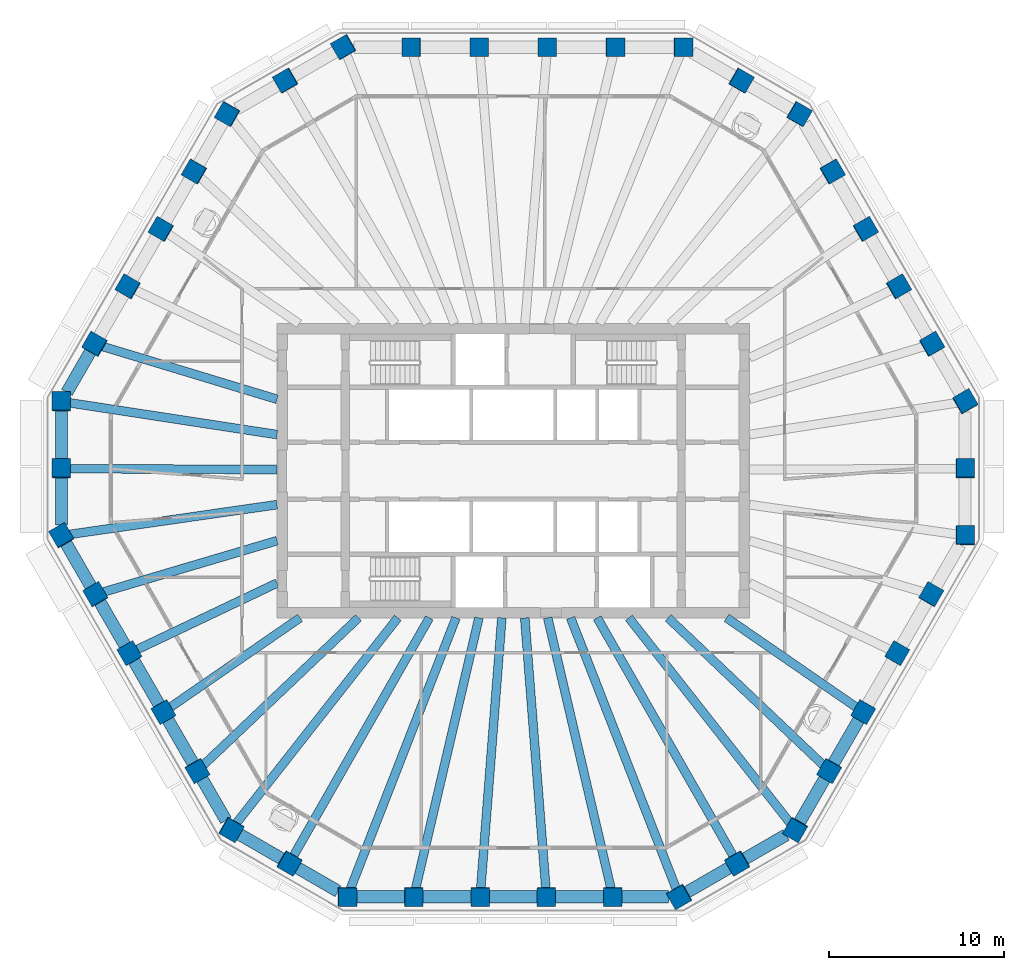
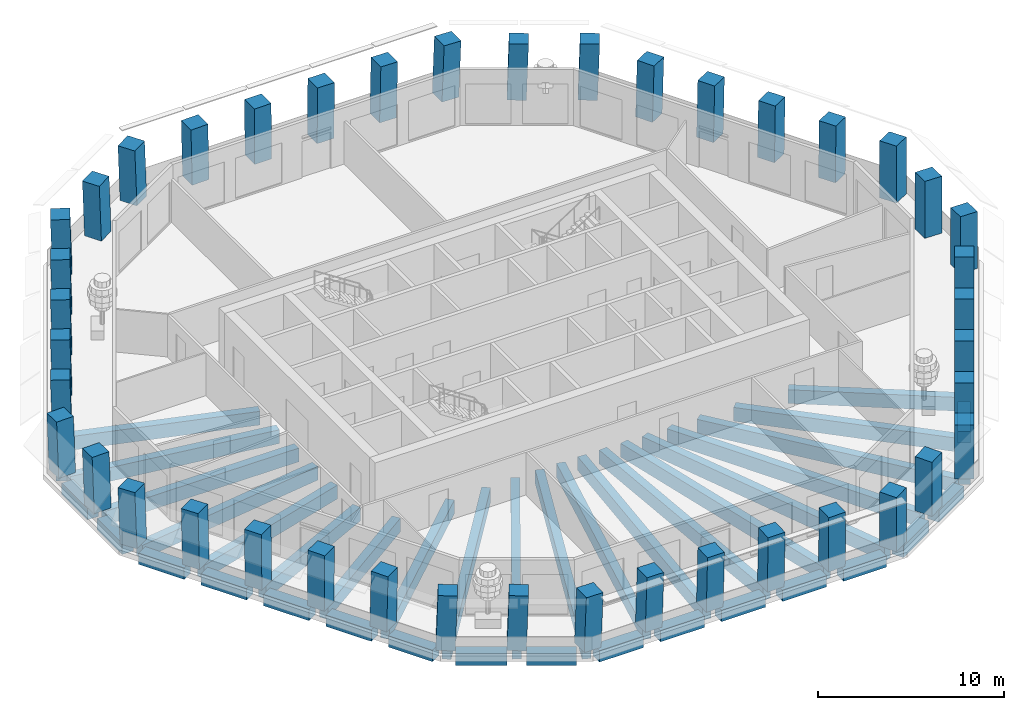
# One storey, part 1 of 12: 42 columns, 39 beams.
"""IFC4 building model written with IfcOpenShell, lengths in metres."""

import ifcopenshell
import ifcopenshell.guid

model = None  # the IFC model being written
_history = None  # IfcOwnerHistory: only IFC2X3 demands one
_inside = {}  # id of a spatial element -> (the spatial element, [elements in it])
_under = {}  # id of a project, library or spatial element -> (it, [spatial elements below it])
_declared = {}  # id of a project -> (the project, [libraries it declares])
_typed = {}  # id of a type object -> (the type object, [elements of that type])
_made_of = {}  # id of a material, layer set ... -> (it, [elements and type objects made of it])


def new_model(schema):
    """Start an empty IFC model of exactly this schema.

    Asked for "IFC4X3", IfcOpenShell would pick the latest addendum, in which some entities
    have other attributes; the version numbers below select the first issue.
    IFC2X3 requires an IfcOwnerHistory on every rooted entity: one is made here for all.
    """
    global model, _history
    if schema == "IFC4X3":
        model = ifcopenshell.file(schema_version=(4, 3, 0, 0))
    else:
        model = ifcopenshell.file(schema=schema)
    _inside.clear()
    _under.clear()
    _declared.clear()
    _typed.clear()
    _made_of.clear()
    _history = None
    if model.schema == "IFC2X3":
        org = make("IfcOrganization", Name="unknown")
        user = make(
            "IfcPersonAndOrganization",
            ThePerson=make("IfcPerson", FamilyName="unknown"),
            TheOrganization=org,
        )
        app = make(
            "IfcApplication",
            ApplicationDeveloper=org,
            Version="unknown",
            ApplicationFullName="unknown",
            ApplicationIdentifier="unknown",
        )
        _history = make(
            "IfcOwnerHistory",
            OwningUser=user,
            OwningApplication=app,
            ChangeAction="ADDED",
            CreationDate=0,
        )
    return model


def make(cls, **values):
    """One entity of the class cls with the attributes given. An attribute that is None is left unset."""
    return model.create_entity(
        cls, **{name: value for name, value in values.items() if value is not None}
    )


def rooted(cls, **values):
    """An entity with a GlobalId (a new one), such as an element, a storey or a relation."""
    return make(cls, GlobalId=ifcopenshell.guid.new(), OwnerHistory=_history, **values)


def si_unit(unit_type, name, prefix=None):
    """IfcSIUnit, for example si_unit("LENGTHUNIT", "METRE", prefix="MILLI")."""
    return make("IfcSIUnit", UnitType=unit_type, Prefix=prefix, Name=name)


def assignment(units):
    """IfcUnitAssignment: the units of a project."""
    return None if units is None else make("IfcUnitAssignment", Units=units)


def point(xyz):
    """IfcCartesianPoint."""
    return None if xyz is None else make("IfcCartesianPoint", Coordinates=xyz)


def direction(xyz):
    """IfcDirection."""
    return None if xyz is None else make("IfcDirection", DirectionRatios=xyz)


def frame(location, z_axis=None, x_axis=None):
    """IfcAxis2Placement3D, a coordinate frame: its origin and axes. An axis left out is left unset."""
    return make(
        "IfcAxis2Placement3D",
        Location=point(location),
        Axis=direction(z_axis),
        RefDirection=direction(x_axis),
    )


def frame_2d(location, x_axis=None):
    """IfcAxis2Placement2D, a coordinate frame in the plane: its origin and x axis."""
    return make(
        "IfcAxis2Placement2D", Location=point(location), RefDirection=direction(x_axis)
    )


def origin():
    """The frame at (0, 0, 0) with its axes left unset."""
    return frame((0.0, 0.0, 0.0))


def origin_2d():
    """The frame at (0, 0) in the plane with its x axis left unset."""
    return frame_2d((0.0, 0.0))


def place(relative_to, where):
    """IfcLocalPlacement: puts the frame where relative to a parent placement (None: the world)."""
    return make(
        "IfcLocalPlacement", PlacementRelTo=relative_to, RelativePlacement=where
    )


def context(
    kind, dimensions, precision=None, world=None, true_north=None, identifier=None
):
    """IfcGeometricRepresentationContext, for example the 3D "Model" context."""
    return make(
        "IfcGeometricRepresentationContext",
        ContextIdentifier=identifier,
        ContextType=kind,
        CoordinateSpaceDimension=dimensions,
        Precision=precision,
        WorldCoordinateSystem=world,
        TrueNorth=true_north,
    )


def subcontext(parent, identifier, kind, view, scale=None):
    """IfcGeometricRepresentationSubContext, for example "Body" below "Model"."""
    return make(
        "IfcGeometricRepresentationSubContext",
        ContextIdentifier=identifier,
        ContextType=kind,
        ParentContext=parent,
        TargetScale=scale,
        TargetView=view,
    )


def project(units=None, contexts=None):
    """IfcProject with its units and contexts."""
    return rooted(
        "IfcProject",
        Name="project",
        RepresentationContexts=contexts,
        UnitsInContext=assignment(units),
    )


def spatial(cls, under=None, at=None, **own):
    """A site, building, storey or space (cls), placed at a placement, below another one or the project."""
    s = rooted(cls, ObjectPlacement=at, **own)
    if under is not None:
        _under.setdefault(under.id(), (under, []))[1].append(s)
    return s


def profile(cls, at=None, kind="AREA", **sizes):
    """A parametric profile (cls). Its sizes go by their IFC names, for example OverallWidth=200.0."""
    return make(cls, ProfileType=kind, Position=at, **sizes)


def rectangle(**sizes):
    """IfcRectangleProfileDef."""
    return profile("IfcRectangleProfileDef", **sizes)


def extrude(swept, where, along, depth):
    """IfcExtrudedAreaSolid: the profile swept, set in the frame where, extruded along a direction by depth."""
    return make(
        "IfcExtrudedAreaSolid",
        SweptArea=swept,
        Position=where,
        ExtrudedDirection=direction(along),
        Depth=depth,
    )


def shape(context_of_items, identifier, shape_type, items):
    """IfcShapeRepresentation: the items that make up one representation, for example the "Body"."""
    return make(
        "IfcShapeRepresentation",
        ContextOfItems=context_of_items,
        RepresentationIdentifier=identifier,
        RepresentationType=shape_type,
        Items=items,
    )


def material(Name=None, Category=None):
    """IfcMaterial."""
    return make("IfcMaterial", Name=Name, Category=Category)


def material_profile(
    of_material, cross_section, Name=None, Category=None, Priority=None
):
    """IfcMaterialProfile: a cross section and its material."""
    return make(
        "IfcMaterialProfile",
        Name=Name,
        Material=of_material,
        Profile=cross_section,
        Priority=Priority,
        Category=Category,
    )


def profile_set(profiles, Name=None, composite=None):
    """IfcMaterialProfileSet."""
    return make(
        "IfcMaterialProfileSet",
        Name=Name,
        MaterialProfiles=profiles,
        CompositeProfile=composite,
    )


def made_of(thing, what):
    """Note that an element or type object is made of a material, layer set ...; save() writes the relation."""
    if what is not None:
        _made_of.setdefault(what.id(), (what, []))[1].append(thing)
    return thing


def type_object(cls, material=None, **own):
    """A type object (cls), such as IfcWallType, which elements share."""
    return made_of(rooted(cls, **own), material)


def element(
    cls,
    number,
    at=None,
    inside=None,
    cuts=None,
    type_object=None,
    material=None,
    context=None,
    identifier="Body",
    shape_type=None,
    held_by="IfcProductDefinitionShape",
    body=None,
    shapes=None,
    **own,
):
    """One element of the class cls, such as IfcWall. Its Tag is "e" and its number.

    at: its placement. inside: the storey or other place that contains it. cuts: it is an
    opening in that element (IfcRelVoidsElement). A single representation is given by context,
    identifier, shape_type and body (its items); several are given by shapes. held_by: the class
    of the entity that holds the representations. save() writes the other relations.
    """
    e = rooted(cls, Tag="e%d" % number, ObjectPlacement=at, **own)
    if body is not None:
        shapes = [shape(context, identifier, shape_type, body)]
    if shapes is not None:
        e.Representation = make(held_by, Representations=shapes)
    if inside is not None:
        _inside.setdefault(inside.id(), (inside, []))[1].append(e)
    if cuts is not None:
        rooted(
            "IfcRelVoidsElement", RelatingBuildingElement=cuts, RelatedOpeningElement=e
        )
    if type_object is not None:
        _typed.setdefault(type_object.id(), (type_object, []))[1].append(e)
    return made_of(e, material)


def aggregate(whole, parts):
    """IfcRelAggregates: a whole, such as a stair, and the parts it consists of."""
    return rooted("IfcRelAggregates", RelatingObject=whole, RelatedObjects=parts)


def save(model, path):
    """Write the relations noted so far, then the file.

    IfcRelAggregates (storeys below a building ...), IfcRelContainedInSpatialStructure (elements
    in a storey), IfcRelDefinesByType, IfcRelAssociatesMaterial and IfcRelDeclares: one each for
    every whole, place, type object, material and project.
    """
    for whole, parts in _under.values():
        aggregate(whole, parts)
    for where, things in _inside.values():
        rooted(
            "IfcRelContainedInSpatialStructure",
            RelatedElements=things,
            RelatingStructure=where,
        )
    for kind, things in _typed.values():
        rooted("IfcRelDefinesByType", RelatedObjects=things, RelatingType=kind)
    for what, things in _made_of.values():
        rooted("IfcRelAssociatesMaterial", RelatedObjects=things, RelatingMaterial=what)
    for by, libraries in _declared.values():
        rooted("IfcRelDeclares", RelatingContext=by, RelatedDefinitions=libraries)
    model.write(path)


model = new_model("IFC4")

# Units and contexts
model_context = context("Model", 3, precision=1e-05, world=origin(), true_north=direction((0.0, 1.0)))
body_context = subcontext(model_context, "Body", "Model", "MODEL_VIEW")
ifc_project = project(units=[si_unit("LENGTHUNIT", "METRE"), si_unit("AREAUNIT", "SQUARE_METRE"), si_unit("VOLUMEUNIT", "CUBIC_METRE"), si_unit("PLANEANGLEUNIT", "RADIAN"), si_unit("MASSUNIT", "GRAM", prefix="KILO")], contexts=[model_context])

# Site, building, storey
site_placement = place(None, origin())
site = spatial("IfcSite", under=ifc_project, at=site_placement, CompositionType="ELEMENT")
building_placement = place(site_placement, origin())
building = spatial("IfcBuilding", under=site, at=building_placement, Name="Frailejon Research Tower", CompositionType="ELEMENT")
storey_placement = place(building_placement, frame((0.0, 0.0, 215.39990234375)))
storey = spatial("IfcBuildingStorey", under=building, at=storey_placement, Name="L46", CompositionType="ELEMENT", Elevation=215.39990234375)

# Columns
ifc_material_1 = material(Name="Concrete C60/75", Category="concrete")
ifc_material_profile_1 = material_profile(ifc_material_1, rectangle(XDim=1.050048828125, YDim=1.050048828125, at=origin_2d()), Name="Column 1050")
ifc_profile_set_1 = profile_set([ifc_material_profile_1], Name="Concrete C60/75")
column_type = type_object("IfcColumnType", Name="Column 1050", PredefinedType="COLUMN", material=ifc_profile_set_1)
for number, where, z_axis, x_axis, name in (
    (1, (25.806884765625, -3.700927734375, 0.0), (0.018180774937, 0.031415309633, 0.999341051765), (0.000893470775, 0.999505344546, -0.031436729047), "Column C01"),
    (2, (25.806884765625, 0.125732421875, 0.0), (0.018180774937, 0.031415309633, 0.999341051765), (0.000893470775, 0.999505344546, -0.031436729047), "Column C02"),
    (3, (25.806884765625, 3.952392578125, 0.0), (0.018180774937, 0.031415309633, 0.999341051765), (-0.499143390032, 0.866329232655, -0.018153149439), "Column C03"),
):
    element("IfcColumn", number, at=place(storey_placement, frame(where, z_axis=z_axis, x_axis=x_axis)), inside=storey, type_object=column_type, Name=name, PredefinedType="COLUMN", context=body_context, shape_type="SweptSolid", body=[
        extrude(rectangle(XDim=1.050048828125, YDim=1.050048828125, at=origin_2d()), origin(), (0.0, 0.0, 1.0), 3.652587890625),
    ])
column_1_placement = place(storey_placement, frame((23.910888671875, 7.236572265625, 0.0), z_axis=(0.021725676399, 0.025134936388, 0.999447962606), x_axis=(-0.500488924466, 0.86567442941, -0.010891223664)))
element("IfcColumn", 4, at=column_1_placement, inside=storey, type_object=column_type, Name="Column C04", PredefinedType="COLUMN", context=body_context, shape_type="SweptSolid", body=[
    extrude(rectangle(XDim=1.050048828125, YDim=1.050048828125, at=origin_2d()), origin(), (0.0, 0.0, 1.0), 3.652099609375),
])
for number, where, z_axis, x_axis, name in (
    (5, (22.0146484375, 10.520751953125, 0.0), (0.025403639223, 0.018852174371, 0.999499500068), (-0.500083888167, 0.865969385556, -0.003623268626), "Column C05"),
    (6, (20.11865234375, 13.804931640625, 0.0), (0.029013644583, 0.012568122538, 0.999500000362), (-0.499848973822, 0.866105020579, 0.003618935909), "Column C06"),
):
    element("IfcColumn", number, at=place(storey_placement, frame(where, z_axis=z_axis, x_axis=x_axis)), inside=storey, type_object=column_type, Name=name, PredefinedType="COLUMN", context=body_context, shape_type="SweptSolid", body=[
        extrude(rectangle(XDim=1.050048828125, YDim=1.050048828125, at=origin_2d()), origin(), (0.0, 0.0, 1.0), 3.65185546875),
    ])
column_2_placement = place(storey_placement, frame((18.222412109375, 17.089111328125, 0.0), z_axis=(0.032688717128, 0.006283720675, 0.99944582776), x_axis=(-0.499706662091, 0.866126133194, 0.010898314577)))
element("IfcColumn", 7, at=column_2_placement, inside=storey, type_object=column_type, Name="Column C07", PredefinedType="COLUMN", context=body_context, shape_type="SweptSolid", body=[
    extrude(rectangle(XDim=1.050048828125, YDim=1.050048828125, at=origin_2d()), origin(), (0.0, 0.0, 1.0), 3.652099609375),
])
for number, where, z_axis, x_axis, name in (
    (8, (16.326416015625, 20.373291015625, 0.0), (0.036227958345, 0.0, 0.999343552055), (-0.865314717209, 0.500246354177, 0.031369177763), "Column C08"),
    (9, (13.01220703125, 22.28662109375, 0.0), (0.036294711627, 0.0, 0.999341129899), (-0.865312619905, 0.500246354177, 0.031426978303), "Column C09"),
    (10, (9.6982421875, 24.199951171875, 0.0), (0.036294711627, 0.0, 0.999341129899), (-0.999341129899, 0.0, 0.036294711627), "Column C10"),
):
    element("IfcColumn", number, at=place(storey_placement, frame(where, z_axis=z_axis, x_axis=x_axis)), inside=storey, type_object=column_type, Name=name, PredefinedType="COLUMN", context=body_context, shape_type="SweptSolid", body=[
        extrude(rectangle(XDim=1.050048828125, YDim=1.050048828125, at=origin_2d()), origin(), (0.0, 0.0, 1.0), 3.652587890625),
    ])
column_3_placement = place(storey_placement, frame((5.819091796875, 24.199951171875, 0.0), z_axis=(0.021732542414, 0.0, 0.99976382041), x_axis=(-0.99976382041, 0.0, 0.021732542414)))
element("IfcColumn", 11, at=column_3_placement, inside=storey, type_object=column_type, Name="Column C11", PredefinedType="COLUMN", context=body_context, shape_type="SweptSolid", body=[
    extrude(rectangle(XDim=1.050048828125, YDim=1.050048828125, at=origin_2d()), origin(), (0.0, 0.0, 1.0), 3.651123046875),
])
for number, where, z_axis, x_axis, name in (
    (12, (1.939697265625, 24.199951171875, 0.0), (0.007290288501, 0.0, 0.999973425494), (-0.999973425494, 0.0, 0.007290288501), "Column C12"),
    (13, (-1.939697265625, 24.199951171875, 0.0), (-0.007290288501, 0.0, 0.999973425494), (-0.999973425494, 0.0, -0.007290288501), "Column C13"),
):
    element("IfcColumn", number, at=place(storey_placement, frame(where, z_axis=z_axis, x_axis=x_axis)), inside=storey, type_object=column_type, Name=name, PredefinedType="COLUMN", context=body_context, shape_type="SweptSolid", body=[
        extrude(rectangle(XDim=1.050048828125, YDim=1.050048828125, at=origin_2d()), origin(), (0.0, 0.0, 1.0), 3.650146484375),
    ])
column_4_placement = place(storey_placement, frame((-5.819091796875, 24.199951171875, 0.0), z_axis=(-0.021732542414, 0.0, 0.99976382041), x_axis=(-0.99976382041, 0.0, -0.021732542414)))
element("IfcColumn", 14, at=column_4_placement, inside=storey, type_object=column_type, Name="Column C14", PredefinedType="COLUMN", context=body_context, shape_type="SweptSolid", body=[
    extrude(rectangle(XDim=1.050048828125, YDim=1.050048828125, at=origin_2d()), origin(), (0.0, 0.0, 1.0), 3.651123046875),
])
for number, where, z_axis, x_axis, name in (
    (15, (-9.6982421875, 24.199951171875, 0.0), (-0.036294711627, 0.0, 0.999341129899), (-0.865312619905, -0.500246354177, -0.031426978303), "Column C15"),
    (16, (-13.01220703125, 22.28662109375, 0.0), (-0.036294711627, 0.0, 0.999341129899), (-0.865312619905, -0.500246354177, -0.031426978303), "Column C16"),
    (17, (-16.326416015625, 20.373291015625, 0.0), (-0.036227958345, 0.0, 0.999343552055), (-0.499425543129, -0.866167613071, -0.018105052798), "Column C17"),
):
    element("IfcColumn", number, at=place(storey_placement, frame(where, z_axis=z_axis, x_axis=x_axis)), inside=storey, type_object=column_type, Name=name, PredefinedType="COLUMN", context=body_context, shape_type="SweptSolid", body=[
        extrude(rectangle(XDim=1.050048828125, YDim=1.050048828125, at=origin_2d()), origin(), (0.0, 0.0, 1.0), 3.652587890625),
    ])
column_5_placement = place(storey_placement, frame((-18.222412109375, 17.089111328125, 0.0), z_axis=(-0.032688717128, 0.006283720675, 0.99944582776), x_axis=(-0.499706662091, -0.866126133194, -0.010898314577)))
element("IfcColumn", 18, at=column_5_placement, inside=storey, type_object=column_type, Name="Column C18", PredefinedType="COLUMN", context=body_context, shape_type="SweptSolid", body=[
    extrude(rectangle(XDim=1.050048828125, YDim=1.050048828125, at=origin_2d()), origin(), (0.0, 0.0, 1.0), 3.652099609375),
])
for number, where, z_axis, x_axis, name in (
    (19, (-20.11865234375, 13.804931640625, 0.0), (-0.029013644583, 0.012568122538, 0.999500000362), (-0.499848973822, -0.866105020579, -0.003618935909), "Column C19"),
    (20, (-22.0146484375, 10.520751953125, 0.0), (-0.025403639223, 0.018852174371, 0.999499500068), (-0.500083888167, -0.865969385556, 0.003623268626), "Column C20"),
):
    element("IfcColumn", number, at=place(storey_placement, frame(where, z_axis=z_axis, x_axis=x_axis)), inside=storey, type_object=column_type, Name=name, PredefinedType="COLUMN", context=body_context, shape_type="SweptSolid", body=[
        extrude(rectangle(XDim=1.050048828125, YDim=1.050048828125, at=origin_2d()), origin(), (0.0, 0.0, 1.0), 3.65185546875),
    ])
column_6_placement = place(storey_placement, frame((-23.910888671875, 7.236572265625, 0.0), z_axis=(-0.021725676399, 0.025134936388, 0.999447962606), x_axis=(-0.500488924466, -0.86567442941, 0.010891223664)))
element("IfcColumn", 21, at=column_6_placement, inside=storey, type_object=column_type, Name="Column C21", PredefinedType="COLUMN", context=body_context, shape_type="SweptSolid", body=[
    extrude(rectangle(XDim=1.050048828125, YDim=1.050048828125, at=origin_2d()), origin(), (0.0, 0.0, 1.0), 3.652099609375),
])
for number, where, z_axis, x_axis, name in (
    (22, (-25.806884765625, 3.952392578125, 0.0), (-0.018180774937, 0.031415309633, 0.999341051765), (0.000893470775, -0.999505344546, 0.031436729047), "Column C22"),
    (23, (-25.806884765625, 0.125732421875, 0.0), (-0.018180774937, 0.031415309633, 0.999341051765), (0.000893470775, -0.999505344546, 0.031436729047), "Column C23"),
    (24, (-25.806884765625, -3.700927734375, 0.0), (-0.018180774937, 0.031415309633, 0.999341051765), (0.500938623266, -0.864721361893, 0.036296859449), "Column C24"),
):
    element("IfcColumn", number, at=place(storey_placement, frame(where, z_axis=z_axis, x_axis=x_axis)), inside=storey, type_object=column_type, Name=name, PredefinedType="COLUMN", context=body_context, shape_type="SweptSolid", body=[
        extrude(rectangle(XDim=1.050048828125, YDim=1.050048828125, at=origin_2d()), origin(), (0.0, 0.0, 1.0), 3.652587890625),
    ])
column_7_placement = place(storey_placement, frame((-23.8671875, -7.060546875, 0.0), z_axis=(-0.010899694483, 0.018857140148, 0.999762774325), x_axis=(0.499728940012, -0.865907957958, 0.021780607409)))
element("IfcColumn", 25, at=column_7_placement, inside=storey, type_object=column_type, Name="Column C25", PredefinedType="COLUMN", context=body_context, shape_type="SweptSolid", body=[
    extrude(rectangle(XDim=1.050048828125, YDim=1.050048828125, at=origin_2d()), origin(), (0.0, 0.0, 1.0), 3.651123046875),
])
for number, where, z_axis, x_axis, name in (
    (26, (-21.927490234375, -10.420166015625, 0.0), (-0.003678586105, 0.006287038071, 0.999973470226), (0.502203463995, -0.864718811212, 0.007284112017), "Column C26"),
    (27, (-19.988037109375, -13.77978515625, 0.0), (0.003611703602, -0.006287039604, 0.99997371402), (0.497890396548, -0.867209652713, -0.007250604559), "Column C27"),
):
    element("IfcColumn", number, at=place(storey_placement, frame(where, z_axis=z_axis, x_axis=x_axis)), inside=storey, type_object=column_type, Name=name, PredefinedType="COLUMN", context=body_context, shape_type="SweptSolid", body=[
        extrude(rectangle(XDim=1.050048828125, YDim=1.050048828125, at=origin_2d()), origin(), (0.0, 0.0, 1.0), 3.650146484375),
    ])
column_8_placement = place(storey_placement, frame((-18.04833984375, -17.139404296875, 0.0), z_axis=(0.010899694483, -0.018857140148, 0.999762774325), x_axis=(0.500590334681, -0.865410262129, -0.021780611228)))
element("IfcColumn", 28, at=column_8_placement, inside=storey, type_object=column_type, Name="Column C28", PredefinedType="COLUMN", context=body_context, shape_type="SweptSolid", body=[
    extrude(rectangle(XDim=1.050048828125, YDim=1.050048828125, at=origin_2d()), origin(), (0.0, 0.0, 1.0), 3.651123046875),
])
for number, where, z_axis, x_axis, name in (
    (29, (-16.108642578125, -20.4990234375, 0.0), (0.018113955825, -0.03141534774, 0.999342263957), (0.86551973078, -0.499889444942, -0.031402841694), "Column C29"),
    (30, (-12.794677734375, -22.412353515625, 0.0), (0.018113955825, -0.03141534774, 0.999342263957), (0.86551973078, -0.499889444942, -0.031402841694), "Column C30"),
    (31, (-9.480712890625, -24.32568359375, 0.0), (0.018180774937, -0.031415309633, 0.999341051765), (0.999834339889, 0.00143825913, -0.018144536062), "Column C31"),
):
    element("IfcColumn", number, at=place(storey_placement, frame(where, z_axis=z_axis, x_axis=x_axis)), inside=storey, type_object=column_type, Name=name, PredefinedType="COLUMN", context=body_context, shape_type="SweptSolid", body=[
        extrude(rectangle(XDim=1.050048828125, YDim=1.050048828125, at=origin_2d()), origin(), (0.0, 0.0, 1.0), 3.652587890625),
    ])
column_9_placement = place(storey_placement, frame((-5.6884765625, -24.32568359375, 0.0), z_axis=(0.010896250923, -0.031418637632, 0.999446917512), x_axis=(0.999940633121, 0.000298237576, -0.010892258146)))
element("IfcColumn", 32, at=column_9_placement, inside=storey, type_object=column_type, Name="Column C32", PredefinedType="COLUMN", context=body_context, shape_type="SweptSolid", body=[
    extrude(rectangle(XDim=1.050048828125, YDim=1.050048828125, at=origin_2d()), origin(), (0.0, 0.0, 1.0), 3.652099609375),
])
for number, where, z_axis, x_axis, name in (
    (33, (-1.89599609375, -24.32568359375, 0.0), (0.003609991708, -0.031420298201, 0.999499741281), (0.999993380446, -0.000341349484, -0.003622505304), "Column C33"),
    (34, (1.89599609375, -24.32568359375, 0.0), (-0.003609991708, -0.031420298201, 0.999499741281), (0.999993380446, 0.000341349484, 0.003622505304), "Column C34"),
):
    element("IfcColumn", number, at=place(storey_placement, frame(where, z_axis=z_axis, x_axis=x_axis)), inside=storey, type_object=column_type, Name=name, PredefinedType="COLUMN", context=body_context, shape_type="SweptSolid", body=[
        extrude(rectangle(XDim=1.050048828125, YDim=1.050048828125, at=origin_2d()), origin(), (0.0, 0.0, 1.0), 3.65185546875),
    ])
column_10_placement = place(storey_placement, frame((5.6884765625, -24.32568359375, 0.0), z_axis=(-0.010896250923, -0.031418637632, 0.999446917512), x_axis=(0.999940633121, -0.000298237576, 0.010892258146)))
element("IfcColumn", 35, at=column_10_placement, inside=storey, type_object=column_type, Name="Column C35", PredefinedType="COLUMN", context=body_context, shape_type="SweptSolid", body=[
    extrude(rectangle(XDim=1.050048828125, YDim=1.050048828125, at=origin_2d()), origin(), (0.0, 0.0, 1.0), 3.652099609375),
])
for number, where, z_axis, x_axis, name in (
    (36, (9.480712890625, -24.32568359375, 0.0), (-0.018180774937, -0.031415309633, 0.999341051765), (0.866315585507, 0.498507122327, 0.031431756187), "Column C36"),
    (37, (12.794677734375, -22.412353515625, 0.0), (-0.018113955825, -0.03141534774, 0.999342263957), (0.86551973078, 0.499889444942, 0.031402841694), "Column C37"),
    (38, (16.108642578125, -20.4990234375, 0.0), (-0.018113955825, -0.03141534774, 0.999342263957), (0.499040514287, 0.865819568771, 0.036263472456), "Column C38"),
):
    element("IfcColumn", number, at=place(storey_placement, frame(where, z_axis=z_axis, x_axis=x_axis)), inside=storey, type_object=column_type, Name=name, PredefinedType="COLUMN", context=body_context, shape_type="SweptSolid", body=[
        extrude(rectangle(XDim=1.050048828125, YDim=1.050048828125, at=origin_2d()), origin(), (0.0, 0.0, 1.0), 3.652587890625),
    ])
column_11_placement = place(storey_placement, frame((18.04833984375, -17.139404296875, 0.0), z_axis=(-0.010899694483, -0.018857140148, 0.999762774325), x_axis=(0.500590334681, 0.865410262129, 0.021780611228)))
element("IfcColumn", 39, at=column_11_placement, inside=storey, type_object=column_type, Name="Column C39", PredefinedType="COLUMN", context=body_context, shape_type="SweptSolid", body=[
    extrude(rectangle(XDim=1.050048828125, YDim=1.050048828125, at=origin_2d()), origin(), (0.0, 0.0, 1.0), 3.651123046875),
])
for number, where, z_axis, x_axis, name in (
    (40, (19.988037109375, -13.77978515625, 0.0), (-0.003611703602, -0.006287039604, 0.99997371402), (0.497890396548, 0.867209652713, 0.007250604559), "Column C40"),
    (41, (21.927490234375, -10.420166015625, 0.0), (0.003678586105, 0.006287038071, 0.999973470226), (0.502203463995, 0.864718811212, -0.007284112017), "Column C41"),
):
    element("IfcColumn", number, at=place(storey_placement, frame(where, z_axis=z_axis, x_axis=x_axis)), inside=storey, type_object=column_type, Name=name, PredefinedType="COLUMN", context=body_context, shape_type="SweptSolid", body=[
        extrude(rectangle(XDim=1.050048828125, YDim=1.050048828125, at=origin_2d()), origin(), (0.0, 0.0, 1.0), 3.650146484375),
    ])
column_12_placement = place(storey_placement, frame((23.8671875, -7.060546875, 0.0), z_axis=(0.010899694483, 0.018857140148, 0.999762774325), x_axis=(0.499728940012, 0.865907957958, -0.021780607409)))
element("IfcColumn", 42, at=column_12_placement, inside=storey, type_object=column_type, Name="Column C42", PredefinedType="COLUMN", context=body_context, shape_type="SweptSolid", body=[
    extrude(rectangle(XDim=1.050048828125, YDim=1.050048828125, at=origin_2d()), origin(), (0.0, 0.0, 1.0), 3.651123046875),
])

# Beams
ifc_material_2 = material(Name="Concrete C60/75", Category="concrete")
ifc_material_profile_2 = material_profile(ifc_material_2, rectangle(XDim=0.5, YDim=0.89990234375, at=origin_2d()), Name="Girder 500x900")
ifc_profile_set_2 = profile_set([ifc_material_profile_2], Name="Concrete C60/75")
beam_type_1 = type_object("IfcBeamType", Name="Girder 500x900", PredefinedType="BEAM", material=ifc_profile_set_2)
beam_1_placement = place(storey_placement, frame((-23.538330078125, 7.123779296875, -0.75), z_axis=(0.957125759353, -0.289672713218, 0.0), x_axis=(0.289672713218, 0.957125759353, 0.0)))
element("IfcBeam", 43, at=beam_1_placement, inside=storey, type_object=beam_type_1, Name="Girder 500x900", PredefinedType="BEAM", context=body_context, shape_type="SweptSolid", body=[
    extrude(rectangle(XDim=0.5, YDim=0.89990234375, at=origin_2d()), origin(), (0.0, 0.0, 1.0), 10.488037109375),
])
beam_2_placement = place(storey_placement, frame((-25.430419921875, 3.894775390625, -0.75), z_axis=(0.988474830164, -0.151385303557, 0.0), x_axis=(0.151385303557, 0.988474830164, 0.0)))
element("IfcBeam", 44, at=beam_2_placement, inside=storey, type_object=beam_type_1, Name="Girder 500x900", PredefinedType="BEAM", context=body_context, shape_type="SweptSolid", body=[
    extrude(rectangle(XDim=0.5, YDim=0.89990234375, at=origin_2d()), origin(), (0.0, 0.0, 1.0), 12.069580078125),
])
beam_3_placement = place(storey_placement, frame((-25.431884765625, 0.123779296875, -0.75), z_axis=(0.999988242336, -0.00484924628, 0.0), x_axis=(0.00484924628, 0.999988242336, 0.0)))
element("IfcBeam", 45, at=beam_3_placement, inside=storey, type_object=beam_type_1, Name="Girder 500x900", PredefinedType="BEAM", context=body_context, shape_type="SweptSolid", body=[
    extrude(rectangle(XDim=0.5, YDim=0.89990234375, at=origin_2d()), origin(), (0.0, 0.0, 1.0), 11.93212890625),
])
beam_4_placement = place(storey_placement, frame((-25.3955078125, -3.64208984375, -0.75), z_axis=(0.989871330029, 0.141967425791, 0.0), x_axis=(-0.141967425791, 0.989871330029, 0.0)))
element("IfcBeam", 46, at=beam_4_placement, inside=storey, type_object=beam_type_1, Name="Girder 500x900", PredefinedType="BEAM", context=body_context, shape_type="SweptSolid", body=[
    extrude(rectangle(XDim=0.5, YDim=0.89990234375, at=origin_2d()), origin(), (0.0, 0.0, 1.0), 12.017333984375),
])
beam_5_placement = place(storey_placement, frame((-23.493408203125, -6.949951171875, -0.75), z_axis=(0.958921152642, 0.28367273929, 0.0), x_axis=(-0.28367273929, 0.958921152642, 0.0)))
element("IfcBeam", 47, at=beam_5_placement, inside=storey, type_object=beam_type_1, Name="Girder 500x900", PredefinedType="BEAM", context=body_context, shape_type="SweptSolid", body=[
    extrude(rectangle(XDim=0.5, YDim=0.89990234375, at=origin_2d()), origin(), (0.0, 0.0, 1.0), 10.421630859375),
])
beam_6_placement = place(storey_placement, frame((-21.58740234375, -10.258544921875, -0.75), z_axis=(0.903201936273, 0.42921586913, 0.0), x_axis=(-0.42921586913, 0.903201936273, 0.0)))
element("IfcBeam", 48, at=beam_6_placement, inside=storey, type_object=beam_type_1, Name="Girder 500x900", PredefinedType="BEAM", context=body_context, shape_type="SweptSolid", body=[
    extrude(rectangle(XDim=0.5, YDim=0.89990234375, at=origin_2d()), origin(), (0.0, 0.0, 1.0), 8.9541015625),
])
beam_7_placement = place(storey_placement, frame((-19.677978515625, -13.56591796875, -0.75), z_axis=(0.823316520902, 0.567582510663, 0.0), x_axis=(-0.567582510663, 0.823316520902, 0.0)))
element("IfcBeam", 49, at=beam_7_placement, inside=storey, type_object=beam_type_1, Name="Girder 500x900", PredefinedType="BEAM", context=body_context, shape_type="SweptSolid", body=[
    extrude(rectangle(XDim=0.5, YDim=0.89990234375, at=origin_2d()), origin(), (0.0, 0.0, 1.0), 9.101806640625),
])
beam_8_placement = place(storey_placement, frame((-17.765380859375, -16.870849609375, -0.75), z_axis=(0.725120328423, 0.688622181829, 0.0), x_axis=(-0.688622181829, 0.725120328423, 0.0)))
element("IfcBeam", 50, at=beam_8_placement, inside=storey, type_object=beam_type_1, Name="Girder 500x900", PredefinedType="BEAM", context=body_context, shape_type="SweptSolid", body=[
    extrude(rectangle(XDim=0.5, YDim=0.89990234375, at=origin_2d()), origin(), (0.0, 0.0, 1.0), 12.30126953125),
])
beam_9_placement = place(storey_placement, frame((-15.873779296875, -20.199951171875, -0.75), z_axis=(0.617872561138, 0.786278257484, 0.0), x_axis=(-0.786278257484, 0.617872561138, 0.0)))
element("IfcBeam", 51, at=beam_9_placement, inside=storey, type_object=beam_type_1, Name="Girder 500x900", PredefinedType="BEAM", context=body_context, shape_type="SweptSolid", body=[
    extrude(rectangle(XDim=0.5, YDim=0.89990234375, at=origin_2d()), origin(), (0.0, 0.0, 1.0), 15.007568359375),
])
beam_10_placement = place(storey_placement, frame((-12.608642578125, -22.086669921875, -0.75), z_axis=(0.495766864192, 0.868455650203, 0.0), x_axis=(-0.868455650203, 0.495766864192, 0.0)))
element("IfcBeam", 52, at=beam_10_placement, inside=storey, type_object=beam_type_1, Name="Girder 500x900", PredefinedType="BEAM", context=body_context, shape_type="SweptSolid", body=[
    extrude(rectangle(XDim=0.5, YDim=0.89990234375, at=origin_2d()), origin(), (0.0, 0.0, 1.0), 15.760009765625),
])
beam_11_placement = place(storey_placement, frame((-9.33056640625, -23.9404296875, -0.75), z_axis=(0.363141224797, 0.931734109525, 0.0), x_axis=(-0.931734109525, 0.363141224797, 0.0)))
element("IfcBeam", 53, at=beam_11_placement, inside=storey, type_object=beam_type_1, Name="Girder 500x900", PredefinedType="BEAM", context=body_context, shape_type="SweptSolid", body=[
    extrude(rectangle(XDim=0.5, YDim=0.89990234375, at=origin_2d()), origin(), (0.0, 0.0, 1.0), 16.67919921875),
])
beam_12_placement = place(storey_placement, frame((-5.599853515625, -23.94677734375, -0.75), z_axis=(0.227698470692, 0.973731691199, 0.0), x_axis=(-0.973731691199, 0.227698470692, 0.0)))
element("IfcBeam", 54, at=beam_12_placement, inside=storey, type_object=beam_type_1, Name="Girder 500x900", PredefinedType="BEAM", context=body_context, shape_type="SweptSolid", body=[
    extrude(rectangle(XDim=0.5, YDim=0.89990234375, at=origin_2d()), origin(), (0.0, 0.0, 1.0), 15.96630859375),
])
for number, where, z_axis, x_axis, name in (
    (55, (-1.86669921875, -23.9501953125, -0.75), (0.07769951563, 0.996976822835, 0.0), (-0.996976822835, 0.07769951563, 0.0), "Girder 500x900"),
    (56, (1.86669921875, -23.9501953125, -0.75), (-0.07769951563, 0.996976822835, 0.0), (-0.996976822835, -0.07769951563, 0.0), "Girder 500x900"),
):
    element("IfcBeam", number, at=place(storey_placement, frame(where, z_axis=z_axis, x_axis=x_axis)), inside=storey, type_object=beam_type_1, Name=name, PredefinedType="BEAM", context=body_context, shape_type="SweptSolid", body=[
        extrude(rectangle(XDim=0.5, YDim=0.89990234375, at=origin_2d()), origin(), (0.0, 0.0, 1.0), 15.597412109375),
    ])
beam_13_placement = place(storey_placement, frame((5.599853515625, -23.94677734375, -0.75), z_axis=(-0.227698470692, 0.973731691199, 0.0), x_axis=(-0.973731691199, -0.227698470692, 0.0)))
element("IfcBeam", 57, at=beam_13_placement, inside=storey, type_object=beam_type_1, Name="Girder 500x900", PredefinedType="BEAM", context=body_context, shape_type="SweptSolid", body=[
    extrude(rectangle(XDim=0.5, YDim=0.89990234375, at=origin_2d()), origin(), (0.0, 0.0, 1.0), 15.96630859375),
])
beam_14_placement = place(storey_placement, frame((9.34228515625, -23.970703125, -0.75), z_axis=(-0.363137055861, 0.931735734348, 0.0), x_axis=(-0.931735734348, -0.363137055861, 0.0)))
element("IfcBeam", 58, at=beam_14_placement, inside=storey, type_object=beam_type_1, Name="Girder 500x900", PredefinedType="BEAM", context=body_context, shape_type="SweptSolid", body=[
    extrude(rectangle(XDim=0.5, YDim=0.89990234375, at=origin_2d()), origin(), (0.0, 0.0, 1.0), 16.711669921875),
])
beam_15_placement = place(storey_placement, frame((12.608642578125, -22.086669921875, -0.75), z_axis=(-0.495766864192, 0.868455650203, 0.0), x_axis=(-0.868455650203, -0.495766864192, 0.0)))
element("IfcBeam", 59, at=beam_15_placement, inside=storey, type_object=beam_type_1, Name="Girder 500x900", PredefinedType="BEAM", context=body_context, shape_type="SweptSolid", body=[
    extrude(rectangle(XDim=0.5, YDim=0.89990234375, at=origin_2d()), origin(), (0.0, 0.0, 1.0), 15.760009765625),
])
beam_16_placement = place(storey_placement, frame((15.851806640625, -20.172119140625, -0.75), z_axis=(-0.617868361201, 0.786281557857, 0.0), x_axis=(-0.786281557857, -0.617868361201, 0.0)))
element("IfcBeam", 60, at=beam_16_placement, inside=storey, type_object=beam_type_1, Name="Girder 500x900", PredefinedType="BEAM", context=body_context, shape_type="SweptSolid", body=[
    extrude(rectangle(XDim=0.5, YDim=0.89990234375, at=origin_2d()), origin(), (0.0, 0.0, 1.0), 14.971923828125),
])
beam_17_placement = place(storey_placement, frame((17.765380859375, -16.870849609375, -0.75), z_axis=(-0.725120328423, 0.688622181829, 0.0), x_axis=(-0.688622181829, -0.725120328423, 0.0)))
element("IfcBeam", 61, at=beam_17_placement, inside=storey, type_object=beam_type_1, Name="Girder 500x900", PredefinedType="BEAM", context=body_context, shape_type="SweptSolid", body=[
    extrude(rectangle(XDim=0.5, YDim=0.89990234375, at=origin_2d()), origin(), (0.0, 0.0, 1.0), 12.30126953125),
])
beam_18_placement = place(storey_placement, frame((19.677978515625, -13.56591796875, -0.75), z_axis=(-0.823316520902, 0.567582510663, 0.0), x_axis=(-0.567582510663, -0.823316520902, 0.0)))
element("IfcBeam", 62, at=beam_18_placement, inside=storey, type_object=beam_type_1, Name="Girder 500x900", PredefinedType="BEAM", context=body_context, shape_type="SweptSolid", body=[
    extrude(rectangle(XDim=0.5, YDim=0.89990234375, at=origin_2d()), origin(), (0.0, 0.0, 1.0), 9.101806640625),
])
ifc_material_3 = material(Name="Concrete C60/75", Category="concrete")
ifc_material_profile_3 = material_profile(ifc_material_3, rectangle(XDim=0.699951171875, YDim=0.75, at=origin_2d()), Name="Spandrel 700x750")
ifc_profile_set_3 = profile_set([ifc_material_profile_3], Name="Concrete C60/75")
beam_type_2 = type_object("IfcBeamType", Name="Spandrel 700x750", PredefinedType="BEAM", material=ifc_profile_set_3)
beam_19_placement = place(storey_placement, frame((-24.17333984375, 6.781982421875, -0.724853515625), z_axis=(-0.499987164874, -0.866032814021, 0.0), x_axis=(0.866032814021, -0.499987164874, 0.0)))
element("IfcBeam", 63, at=beam_19_placement, inside=storey, type_object=beam_type_2, Name="Spandrel 700x750", PredefinedType="BEAM", context=body_context, shape_type="SweptSolid", body=[
    extrude(rectangle(XDim=0.699951171875, YDim=0.75, at=origin_2d()), origin(), (0.0, 0.0, 1.0), 2.6611328125),
])
beam_20_placement = place(storey_placement, frame((-25.806884765625, 3.427490234375, -0.724853515625), z_axis=(0.0, -1.0, 0.0), x_axis=(1.0, 0.0, 0.0)))
element("IfcBeam", 64, at=beam_20_placement, inside=storey, type_object=beam_type_2, Name="Spandrel 700x750", PredefinedType="BEAM", context=body_context, shape_type="SweptSolid", body=[
    extrude(rectangle(XDim=0.699951171875, YDim=0.75, at=origin_2d()), origin(), (0.0, 0.0, 1.0), 2.77685546875),
])
beam_21_placement = place(storey_placement, frame((-25.806884765625, -0.3994140625, -0.724853515625), z_axis=(0.0, -1.0, 0.0), x_axis=(1.0, 0.0, 0.0)))
element("IfcBeam", 65, at=beam_21_placement, inside=storey, type_object=beam_type_2, Name="Spandrel 700x750", PredefinedType="BEAM", context=body_context, shape_type="SweptSolid", body=[
    extrude(rectangle(XDim=0.699951171875, YDim=0.75, at=origin_2d()), origin(), (0.0, 0.0, 1.0), 2.6953125),
])
for number, where, z_axis, x_axis, name in (
    (66, (-25.54443359375, -4.15576171875, -0.724853515625), (0.499981405807, -0.866036138881, 0.0), (0.866036138881, 0.499981405807, 0.0), "Spandrel 700x750"),
    (67, (-23.604736328125, -7.515380859375, -0.724853515625), (0.499981405807, -0.866036138881, 0.0), (0.866036138881, 0.499981405807, 0.0), "Spandrel 700x750"),
    (68, (-21.6650390625, -10.875, -0.724853515625), (0.499981405807, -0.866036138881, 0.0), (0.866036138881, 0.499981405807, 0.0), "Spandrel 700x750"),
):
    element("IfcBeam", number, at=place(storey_placement, frame(where, z_axis=z_axis, x_axis=x_axis)), inside=storey, type_object=beam_type_2, Name=name, PredefinedType="BEAM", context=body_context, shape_type="SweptSolid", body=[
        extrude(rectangle(XDim=0.699951171875, YDim=0.75, at=origin_2d()), origin(), (0.0, 0.0, 1.0), 2.8291015625),
    ])
beam_22_placement = place(storey_placement, frame((-19.7255859375, -14.234619140625, -0.724853515625), z_axis=(0.500046122942, -0.865998773054, 0.0), x_axis=(0.865998773054, 0.500046122942, 0.0)))
element("IfcBeam", 69, at=beam_22_placement, inside=storey, type_object=beam_type_2, Name="Spandrel 700x750", PredefinedType="BEAM", context=body_context, shape_type="SweptSolid", body=[
    extrude(rectangle(XDim=0.699951171875, YDim=0.75, at=origin_2d()), origin(), (0.0, 0.0, 1.0), 2.829345703125),
])
beam_23_placement = place(storey_placement, frame((-17.785888671875, -17.593994140625, -0.724853515625), z_axis=(0.499960838488, -0.866048012513, 0.0), x_axis=(0.866048012513, 0.499960838488, 0.0)))
element("IfcBeam", 70, at=beam_23_placement, inside=storey, type_object=beam_type_2, Name="Spandrel 700x750", PredefinedType="BEAM", context=body_context, shape_type="SweptSolid", body=[
    extrude(rectangle(XDim=0.699951171875, YDim=0.75, at=origin_2d()), origin(), (0.0, 0.0, 1.0), 2.748291015625),
])
beam_24_placement = place(storey_placement, frame((-15.654052734375, -20.761474609375, -0.724853515625), z_axis=(0.866021602438, -0.500006584067, 0.0), x_axis=(0.500006584067, 0.866021602438, 0.0)))
element("IfcBeam", 71, at=beam_24_placement, inside=storey, type_object=beam_type_2, Name="Spandrel 700x750", PredefinedType="BEAM", context=body_context, shape_type="SweptSolid", body=[
    extrude(rectangle(XDim=0.699951171875, YDim=0.75, at=origin_2d()), origin(), (0.0, 0.0, 1.0), 2.77685546875),
])
beam_25_placement = place(storey_placement, frame((-12.33984375, -22.6748046875, -0.724853515625), z_axis=(0.86598798235, -0.500064810224, 0.0), x_axis=(0.500064810224, 0.86598798235, 0.0)))
element("IfcBeam", 72, at=beam_25_placement, inside=storey, type_object=beam_type_2, Name="Spandrel 700x750", PredefinedType="BEAM", context=body_context, shape_type="SweptSolid", body=[
    extrude(rectangle(XDim=0.699951171875, YDim=0.75, at=origin_2d()), origin(), (0.0, 0.0, 1.0), 2.695556640625),
])
for number, where, z_axis, x_axis, name in (
    (73, (-8.95556640625, -24.32568359375, -0.724853515625), (1.0, 0.0, 0.0), (0.0, 1.0, 0.0), "Spandrel 700x750"),
    (74, (-5.163330078125, -24.32568359375, -0.724853515625), (1.0, 0.0, 0.0), (0.0, 1.0, 0.0), "Spandrel 700x750"),
    (75, (-1.37109375, -24.32568359375, -0.724853515625), (1.0, 0.0, 0.0), (0.0, 1.0, 0.0), "Spandrel 700x750"),
    (76, (2.421142578125, -24.32568359375, -0.724853515625), (1.0, 0.0, 0.0), (0.0, 1.0, 0.0), "Spandrel 700x750"),
):
    element("IfcBeam", number, at=place(storey_placement, frame(where, z_axis=z_axis, x_axis=x_axis)), inside=storey, type_object=beam_type_2, Name=name, PredefinedType="BEAM", context=body_context, shape_type="SweptSolid", body=[
        extrude(rectangle(XDim=0.699951171875, YDim=0.75, at=origin_2d()), origin(), (0.0, 0.0, 1.0), 2.7421875),
    ])
beam_26_placement = place(storey_placement, frame((6.21337890625, -24.32568359375, -0.724853515625), z_axis=(1.0, 0.0, 0.0), x_axis=(0.0, 1.0, 0.0)))
element("IfcBeam", 77, at=beam_26_placement, inside=storey, type_object=beam_type_2, Name="Spandrel 700x750", PredefinedType="BEAM", context=body_context, shape_type="SweptSolid", body=[
    extrude(rectangle(XDim=0.699951171875, YDim=0.75, at=origin_2d()), origin(), (0.0, 0.0, 1.0), 2.6611328125),
])
beam_27_placement = place(storey_placement, frame((9.935302734375, -24.063232421875, -0.724853515625), z_axis=(0.865999619105, 0.500044657716, 0.0), x_axis=(-0.500044657716, 0.865999619105, 0.0)))
element("IfcBeam", 78, at=beam_27_placement, inside=storey, type_object=beam_type_2, Name="Spandrel 700x750", PredefinedType="BEAM", context=body_context, shape_type="SweptSolid", body=[
    extrude(rectangle(XDim=0.699951171875, YDim=0.75, at=origin_2d()), origin(), (0.0, 0.0, 1.0), 2.776611328125),
])
beam_28_placement = place(storey_placement, frame((13.249267578125, -22.14990234375, -0.724853515625), z_axis=(0.866010629317, 0.500025589255, 0.0), x_axis=(-0.500025589255, 0.866010629317, 0.0)))
element("IfcBeam", 79, at=beam_28_placement, inside=storey, type_object=beam_type_2, Name="Spandrel 700x750", PredefinedType="BEAM", context=body_context, shape_type="SweptSolid", body=[
    extrude(rectangle(XDim=0.699951171875, YDim=0.75, at=origin_2d()), origin(), (0.0, 0.0, 1.0), 2.695556640625),
])
for number, where, z_axis, x_axis, name in (
    (80, (16.37109375, -20.044189453125, -0.724853515625), (0.500046122942, 0.865998773054, 0.0), (-0.865998773054, 0.500046122942, 0.0), "Spandrel 700x750"),
    (81, (18.310791015625, -16.684814453125, -0.724853515625), (0.500046122942, 0.865998773054, 0.0), (-0.865998773054, 0.500046122942, 0.0), "Spandrel 700x750"),
):
    element("IfcBeam", number, at=place(storey_placement, frame(where, z_axis=z_axis, x_axis=x_axis)), inside=storey, type_object=beam_type_2, Name=name, PredefinedType="BEAM", context=body_context, shape_type="SweptSolid", body=[
        extrude(rectangle(XDim=0.699951171875, YDim=0.75, at=origin_2d()), origin(), (0.0, 0.0, 1.0), 2.829345703125),
    ])

save(model, "model.ifc")
